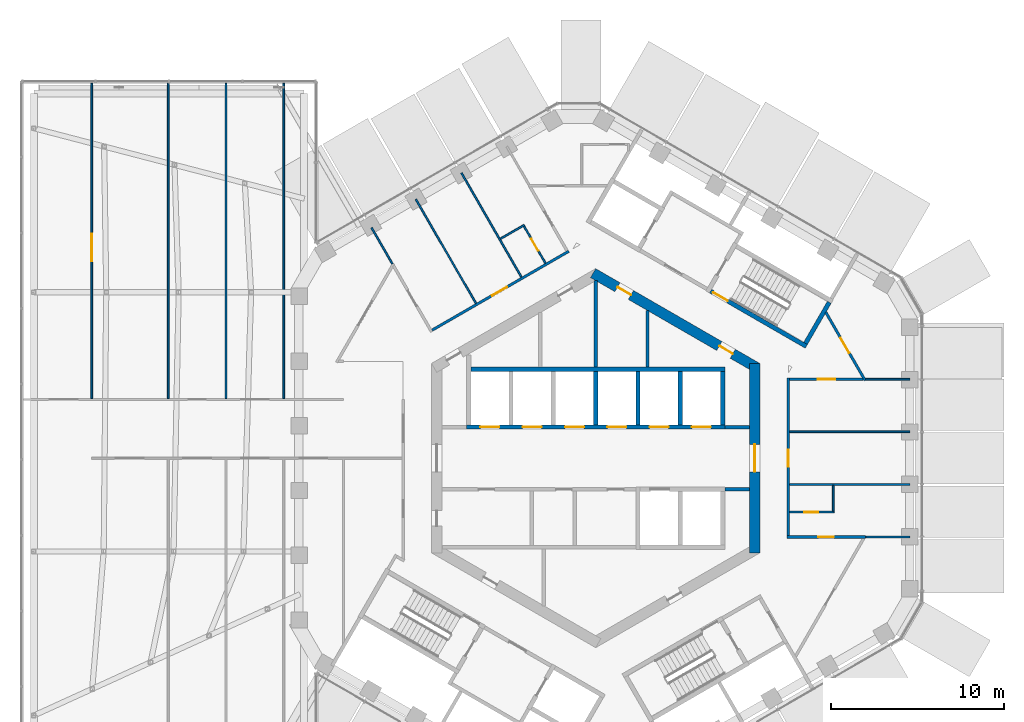
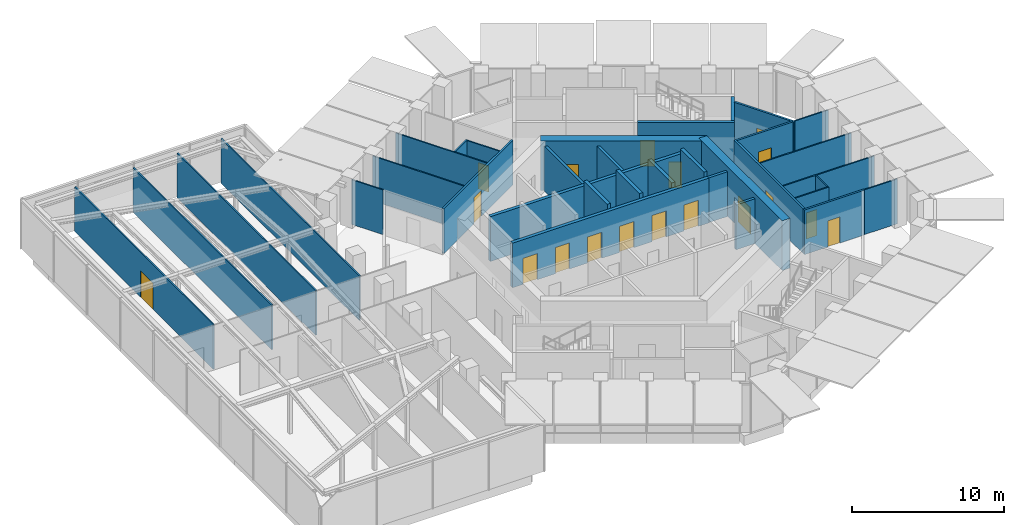
# One storey, part 18 of 24: 34 walls, 18 doors, 18 openings.
"""IFC4 building model written with IfcOpenShell, lengths in metres."""

from ifc_helpers import new_model, si_unit, direction, frame, frame_2d, origin, place, context, subcontext, project, spatial, rectangle, extrude, material, layer, layer_set, type_object, element, fill, save


model = new_model("IFC4")

# Units and contexts
model_context = context("Model", 3, precision=1e-05, world=origin(), true_north=direction((0.0, 1.0)))
body_context = subcontext(model_context, "Body", "Model", "MODEL_VIEW")
ifc_project = project(units=[si_unit("LENGTHUNIT", "METRE"), si_unit("AREAUNIT", "SQUARE_METRE"), si_unit("VOLUMEUNIT", "CUBIC_METRE"), si_unit("PLANEANGLEUNIT", "RADIAN"), si_unit("MASSUNIT", "GRAM", prefix="KILO")], contexts=[model_context])

# Site, building, storey
site_placement = place(None, origin())
site = spatial("IfcSite", under=ifc_project, at=site_placement, CompositionType="ELEMENT")
building_placement = place(site_placement, origin())
building = spatial("IfcBuilding", under=site, at=building_placement, Name="Ayvan Gate Tower", CompositionType="ELEMENT")
storey_placement = place(building_placement, frame((0.0, 0.0, 210.10009765625)))
storey = spatial("IfcBuildingStorey", under=building, at=storey_placement, Name="L56", CompositionType="ELEMENT", Elevation=210.10009765625)

# Wall, opening, door
ifc_material_1 = material(Name="Concrete C60/75", Category="concrete")
ifc_layer_1 = layer(ifc_material_1, 0.60009765625)
ifc_layer_set_1 = layer_set([ifc_layer_1], Name="Concrete C60/75")
wall_type_1 = type_object("IfcWallType", Name="Core wall 600 C60/75", PredefinedType="SHEAR", material=ifc_layer_set_1)
wall_1_placement = place(storey_placement, frame((9.199951171875, -5.48486328125, 0.0), z_axis=(0.0, 0.0, 1.0), x_axis=(0.0, 1.0, 0.0)))
wall_1 = element("IfcWall", 1, at=wall_1_placement, inside=storey, type_object=wall_type_1, Name="CORE-L56-0", PredefinedType="SHEAR", context=body_context, shape_type="SweptSolid", body=[
    extrude(rectangle(XDim=10.9697265625, YDim=0.60009765625, at=frame_2d((5.48486328125, 0.0))), origin(), (0.0, 0.0, 1.0), 4.0),
])
opening_1_placement = place(wall_1_placement, frame((4.684814453125, 0.0, 0.0)))
opening_1 = element("IfcOpeningElement", 2, at=opening_1_placement, cuts=wall_1, Name="Opening L56-D54", PredefinedType="OPENING", context=body_context, shape_type="SweptSolid", body=[
    extrude(rectangle(XDim=1.60009765625, YDim=2.10009765625, at=frame_2d((0.800048828125, 1.050048828125))), frame((0.0, 0.31005859375, 0.0), z_axis=(0.0, -1.0, 0.0), x_axis=(1.0, 0.0, 0.0)), (0.0, 0.0, 1.0), 0.6201171875),
])
ifc_material_2 = material(Name="Timber door leaf", Category="wood")
door_type_1 = type_object("IfcDoorType", Name="DT-1600", OperationType="NOTDEFINED", PredefinedType="DOOR", material=ifc_material_2)
door_1_placement = place(opening_1_placement, origin())
door_1 = element("IfcDoor", 3, at=door_1_placement, inside=storey, type_object=door_type_1, Name="CD-L56-54", OperationType="SINGLE_SWING_RIGHT", OverallHeight=2.10009765625, OverallWidth=1.60009765625, PredefinedType="DOOR", context=body_context, shape_type="SweptSolid", body=[
    extrude(rectangle(XDim=1.60009765625, YDim=2.10009765625, at=frame_2d((0.800048828125, 1.050048828125))), frame((0.0, 0.02490234375, 0.0), z_axis=(0.0, -1.0, 0.0), x_axis=(1.0, 0.0, 0.0)), (0.0, 0.0, 1.0), 0.050048828125),
])
fill(opening_1, door_1)

# Wall, openings, doors
wall_2_placement = place(storey_placement, frame((9.35009765625, 5.22509765625, 0.0), z_axis=(0.0, 0.0, 1.0), x_axis=(-0.866023993627, 0.500002442456, 0.0)))
wall_2 = element("IfcWall", 4, at=wall_2_placement, inside=storey, type_object=wall_type_1, Name="CORE-L56-1", PredefinedType="SHEAR", context=body_context, shape_type="SweptSolid", body=[
    extrude(rectangle(XDim=10.9697265625, YDim=0.60009765625, at=frame_2d((5.48486328125, 0.0))), origin(), (0.0, 0.0, 1.0), 4.0),
])
opening_2_placement = place(wall_2_placement, frame((8.44189453125, 0.0, 0.0)))
opening_2 = element("IfcOpeningElement", 5, at=opening_2_placement, cuts=wall_2, Name="Opening L56-D49", PredefinedType="OPENING", context=body_context, shape_type="SweptSolid", body=[
    extrude(rectangle(XDim=0.89990234375, YDim=2.10009765625, at=frame_2d((0.449951171875, 1.050048828125))), frame((0.0, 0.31005859375, 0.0), z_axis=(0.0, -1.0, 0.0), x_axis=(1.0, 0.0, 0.0)), (0.0, 0.0, 1.0), 0.6201171875),
])
opening_3_placement = place(wall_2_placement, frame((1.633544921875, 0.0, 0.0)))
opening_3 = element("IfcOpeningElement", 6, at=opening_3_placement, cuts=wall_2, Name="Opening L56-D50", PredefinedType="OPENING", context=body_context, shape_type="SweptSolid", body=[
    extrude(rectangle(XDim=0.89990234375, YDim=2.10009765625, at=frame_2d((0.449951171875, 1.050048828125))), frame((0.0, 0.31005859375, 0.0), z_axis=(0.0, -1.0, 0.0), x_axis=(1.0, 0.0, 0.0)), (0.0, 0.0, 1.0), 0.6201171875),
])
door_type_2 = type_object("IfcDoorType", Name="DT-900", OperationType="NOTDEFINED", PredefinedType="DOOR", material=ifc_material_2)
door_2_placement = place(opening_2_placement, origin())
door_2 = element("IfcDoor", 7, at=door_2_placement, inside=storey, type_object=door_type_2, Name="CD-L56-49", OperationType="SINGLE_SWING_LEFT", OverallHeight=2.10009765625, OverallWidth=0.89990234375, PredefinedType="DOOR", context=body_context, shape_type="SweptSolid", body=[
    extrude(rectangle(XDim=0.89990234375, YDim=2.10009765625, at=frame_2d((0.449951171875, 1.050048828125))), frame((0.0, 0.02490234375, 0.0), z_axis=(0.0, -1.0, 0.0), x_axis=(1.0, 0.0, 0.0)), (0.0, 0.0, 1.0), 0.050048828125),
])
fill(opening_2, door_2)
door_3_placement = place(opening_3_placement, origin())
door_3 = element("IfcDoor", 8, at=door_3_placement, inside=storey, type_object=door_type_2, Name="CD-L56-50", OperationType="SINGLE_SWING_RIGHT", OverallHeight=2.10009765625, OverallWidth=0.89990234375, PredefinedType="DOOR", context=body_context, shape_type="SweptSolid", body=[
    extrude(rectangle(XDim=0.89990234375, YDim=2.10009765625, at=frame_2d((0.449951171875, 1.050048828125))), frame((0.0, 0.02490234375, 0.0), z_axis=(0.0, -1.0, 0.0), x_axis=(1.0, 0.0, 0.0)), (0.0, 0.0, 1.0), 0.050048828125),
])
fill(opening_3, door_3)

# Wall, opening, door
ifc_material_3 = material(Name="Plasterboard on steel stud", Category="steel")
ifc_layer_2 = layer(ifc_material_3, 0.14990234375)
ifc_layer_set_2 = layer_set([ifc_layer_2], Name="Plasterboard on steel stud")
wall_type_2 = type_object("IfcWallType", Name="WT-CORR-150", PredefinedType="PARTITIONING", material=ifc_layer_set_2)
wall_3_placement = place(storey_placement, frame((-9.46484375, 7.410400390625, 0.0), z_axis=(0.0, 0.0, 1.0), x_axis=(0.866025334581, 0.500000119864, 0.0)))
wall_3 = element("IfcWall", 9, at=wall_3_placement, inside=storey, type_object=wall_type_2, Name="IW-L56-020", PredefinedType="PARTITIONING", context=body_context, shape_type="SweptSolid", body=[
    extrude(rectangle(XDim=9.13330078125, YDim=0.14990234375, at=frame_2d((4.566650390625, 0.0))), origin(), (0.0, 0.0, 1.0), 3.599853515625),
])
opening_4_placement = place(wall_3_placement, frame((3.99169921875, 0.0, 0.0)))
opening_4 = element("IfcOpeningElement", 10, at=opening_4_placement, cuts=wall_3, Name="Opening L56-D34", PredefinedType="OPENING", context=body_context, shape_type="SweptSolid", body=[
    extrude(rectangle(XDim=1.0, YDim=2.10009765625, at=frame_2d((0.5, 1.050048828125))), frame((0.0, 0.0849609375, 0.0), z_axis=(0.0, -1.0, 0.0), x_axis=(1.0, 0.0, 0.0)), (0.0, 0.0, 1.0), 0.169921875),
])
door_type_3 = type_object("IfcDoorType", Name="DT-1000", OperationType="NOTDEFINED", PredefinedType="DOOR", material=ifc_material_2)
door_4_placement = place(opening_4_placement, origin())
door_4 = element("IfcDoor", 11, at=door_4_placement, inside=storey, type_object=door_type_3, Name="ID-L56-034", OperationType="SINGLE_SWING_RIGHT", OverallHeight=2.10009765625, OverallWidth=1.0, PredefinedType="DOOR", context=body_context, shape_type="SweptSolid", body=[
    extrude(rectangle(XDim=1.0, YDim=2.10009765625, at=frame_2d((0.5, 1.050048828125))), frame((0.0, 0.02490234375, 0.0), z_axis=(0.0, -1.0, 0.0), x_axis=(1.0, 0.0, 0.0)), (0.0, 0.0, 1.0), 0.050048828125),
])
fill(opening_4, door_4)

wall_4_placement = place(storey_placement, frame((11.074951171875, -4.566650390625, 0.0), z_axis=(0.0, 0.0, 1.0), x_axis=(1.0, 0.0, 0.0)))
wall_4 = element("IfcWall", 12, at=wall_4_placement, inside=storey, type_object=wall_type_2, Name="IW-L56-095", PredefinedType="PARTITIONING", context=body_context, shape_type="SweptSolid", body=[
    extrude(rectangle(XDim=4.55859375, YDim=0.14990234375, at=frame_2d((2.279296875, 0.0))), origin(), (0.0, 0.0, 1.0), 3.599853515625),
])
opening_5_placement = place(wall_4_placement, frame((1.81201171875, 0.0, 0.0)))
opening_5 = element("IfcOpeningElement", 13, at=opening_5_placement, cuts=wall_4, Name="Opening L56-D22", PredefinedType="OPENING", context=body_context, shape_type="SweptSolid", body=[
    extrude(rectangle(XDim=0.89990234375, YDim=2.10009765625, at=frame_2d((0.449951171875, 1.050048828125))), frame((0.0, 0.0849609375, 0.0), z_axis=(0.0, -1.0, 0.0), x_axis=(1.0, 0.0, 0.0)), (0.0, 0.0, 1.0), 0.169921875),
])
door_5_placement = place(opening_5_placement, origin())
door_5 = element("IfcDoor", 14, at=door_5_placement, inside=storey, type_object=door_type_2, Name="ID-L56-022", OperationType="SINGLE_SWING_RIGHT", OverallHeight=2.10009765625, OverallWidth=0.89990234375, PredefinedType="DOOR", context=body_context, shape_type="SweptSolid", body=[
    extrude(rectangle(XDim=0.89990234375, YDim=2.10009765625, at=frame_2d((0.449951171875, 1.050048828125))), frame((0.0, 0.02490234375, 0.0), z_axis=(0.0, -1.0, 0.0), x_axis=(1.0, 0.0, 0.0)), (0.0, 0.0, 1.0), 0.050048828125),
])
fill(opening_5, door_5)

wall_5_placement = place(storey_placement, frame((11.14990234375, -4.49169921875, 0.0), z_axis=(0.0, 0.0, 1.0), x_axis=(0.0, 1.0, 0.0)))
wall_5 = element("IfcWall", 15, at=wall_5_placement, inside=storey, type_object=wall_type_2, Name="IW-L56-097", PredefinedType="PARTITIONING", context=body_context, shape_type="SweptSolid", body=[
    extrude(rectangle(XDim=9.13330078125, YDim=0.14990234375, at=frame_2d((4.566650390625, 0.0))), origin(), (0.0, 0.0, 1.0), 3.599853515625),
])
opening_6_placement = place(wall_5_placement, frame((3.99169921875, 0.0, 0.0)))
opening_6 = element("IfcOpeningElement", 16, at=opening_6_placement, cuts=wall_5, Name="Opening L56-D24", PredefinedType="OPENING", context=body_context, shape_type="SweptSolid", body=[
    extrude(rectangle(XDim=1.0, YDim=2.10009765625, at=frame_2d((0.5, 1.050048828125))), frame((0.0, 0.0849609375, 0.0), z_axis=(0.0, -1.0, 0.0), x_axis=(1.0, 0.0, 0.0)), (0.0, 0.0, 1.0), 0.169921875),
])
door_6_placement = place(opening_6_placement, origin())
door_6 = element("IfcDoor", 17, at=door_6_placement, inside=storey, type_object=door_type_3, Name="ID-L56-024", OperationType="SINGLE_SWING_RIGHT", OverallHeight=2.10009765625, OverallWidth=1.0, PredefinedType="DOOR", context=body_context, shape_type="SweptSolid", body=[
    extrude(rectangle(XDim=1.0, YDim=2.10009765625, at=frame_2d((0.5, 1.050048828125))), frame((0.0, 0.02490234375, 0.0), z_axis=(0.0, -1.0, 0.0), x_axis=(1.0, 0.0, 0.0)), (0.0, 0.0, 1.0), 0.050048828125),
])
fill(opening_6, door_6)

wall_6_placement = place(storey_placement, frame((13.31689453125, 8.44921875, 0.0), z_axis=(0.0, 0.0, 1.0), x_axis=(0.500033079325, -0.866006304585, 0.0)))
wall_6 = element("IfcWall", 18, at=wall_6_placement, inside=storey, type_object=wall_type_2, Name="IW-L56-101", PredefinedType="PARTITIONING", context=body_context, shape_type="SweptSolid", body=[
    extrude(rectangle(XDim=4.558349609375, YDim=0.14990234375, at=frame_2d((2.279296875, 0.0))), origin(), (0.0, 0.0, 1.0), 3.599853515625),
])
opening_7_placement = place(wall_6_placement, frame((1.724365234375, 0.0, 0.0)))
opening_7 = element("IfcOpeningElement", 19, at=opening_7_placement, cuts=wall_6, Name="Opening L56-D26", PredefinedType="OPENING", context=body_context, shape_type="SweptSolid", body=[
    extrude(rectangle(XDim=1.0, YDim=2.10009765625, at=frame_2d((0.5, 1.050048828125))), frame((0.0, 0.0849609375, 0.0), z_axis=(0.0, -1.0, 0.0), x_axis=(1.0, 0.0, 0.0)), (0.0, 0.0, 1.0), 0.169921875),
])
door_7_placement = place(opening_7_placement, origin())
door_7 = element("IfcDoor", 20, at=door_7_placement, inside=storey, type_object=door_type_3, Name="ID-L56-026", OperationType="SINGLE_SWING_RIGHT", OverallHeight=2.10009765625, OverallWidth=1.0, PredefinedType="DOOR", context=body_context, shape_type="SweptSolid", body=[
    extrude(rectangle(XDim=1.0, YDim=2.10009765625, at=frame_2d((0.5, 1.050048828125))), frame((0.0, 0.02490234375, 0.0), z_axis=(0.0, -1.0, 0.0), x_axis=(1.0, 0.0, 0.0)), (0.0, 0.0, 1.0), 0.050048828125),
])
fill(opening_7, door_7)

wall_7_placement = place(storey_placement, frame((15.483642578125, 4.566650390625, 0.0), z_axis=(0.0, 0.0, 1.0), x_axis=(-1.0, 0.0, 0.0)))
wall_7 = element("IfcWall", 21, at=wall_7_placement, inside=storey, type_object=wall_type_2, Name="IW-L56-105", PredefinedType="PARTITIONING", context=body_context, shape_type="SweptSolid", body=[
    extrude(rectangle(XDim=4.258544921875, YDim=0.14990234375, at=frame_2d((2.12939453125, 0.0))), origin(), (0.0, 0.0, 1.0), 3.599853515625),
])
opening_8_placement = place(wall_7_placement, frame((1.62939453125, 0.0, 0.0)))
opening_8 = element("IfcOpeningElement", 22, at=opening_8_placement, cuts=wall_7, Name="Opening L56-D25", PredefinedType="OPENING", context=body_context, shape_type="SweptSolid", body=[
    extrude(rectangle(XDim=1.0, YDim=2.10009765625, at=frame_2d((0.5, 1.050048828125))), frame((0.0, 0.0849609375, 0.0), z_axis=(0.0, -1.0, 0.0), x_axis=(1.0, 0.0, 0.0)), (0.0, 0.0, 1.0), 0.169921875),
])
door_8_placement = place(opening_8_placement, origin())
door_8 = element("IfcDoor", 23, at=door_8_placement, inside=storey, type_object=door_type_3, Name="ID-L56-025", OperationType="SINGLE_SWING_LEFT", OverallHeight=2.10009765625, OverallWidth=1.0, PredefinedType="DOOR", context=body_context, shape_type="SweptSolid", body=[
    extrude(rectangle(XDim=1.0, YDim=2.10009765625, at=frame_2d((0.5, 1.050048828125))), frame((0.0, 0.02490234375, 0.0), z_axis=(0.0, -1.0, 0.0), x_axis=(1.0, 0.0, 0.0)), (0.0, 0.0, 1.0), 0.050048828125),
])
fill(opening_8, door_8)

ifc_layer_3 = layer(ifc_material_3, 0.10009765625)
ifc_layer_set_3 = layer_set([ifc_layer_3], Name="Plasterboard on steel stud")
wall_type_3 = type_object("IfcWallType", Name="WT-PART-100", PredefinedType="PARTITIONING", material=ifc_layer_set_3)
wall_8_placement = place(storey_placement, frame((-29.17431640625, 21.696044921875, 0.0), z_axis=(0.0, 0.0, 1.0), x_axis=(0.0, -1.0, 0.0)))
wall_8 = element("IfcWall", 24, at=wall_8_placement, inside=storey, type_object=wall_type_3, Name="IW-L56-001", PredefinedType="PARTITIONING", context=body_context, shape_type="SweptSolid", body=[
    extrude(rectangle(XDim=18.249755859375, YDim=0.10009765625, at=frame_2d((9.125, 0.0))), origin(), (0.0, 0.0, 1.0), 3.599853515625),
])
opening_9_placement = place(wall_8_placement, frame((8.69775390625, 0.0, 0.0)))
opening_9 = element("IfcOpeningElement", 25, at=opening_9_placement, cuts=wall_8, Name="Opening L56-D45", PredefinedType="OPENING", context=body_context, shape_type="SweptSolid", body=[
    extrude(rectangle(XDim=1.60009765625, YDim=2.10009765625, at=frame_2d((0.800048828125, 1.050048828125))), frame((0.0, 0.06005859375, 0.0), z_axis=(0.0, -1.0, 0.0), x_axis=(1.0, 0.0, 0.0)), (0.0, 0.0, 1.0), 0.1201171875),
])
door_9_placement = place(opening_9_placement, origin())
door_9 = element("IfcDoor", 26, at=door_9_placement, inside=storey, type_object=door_type_1, Name="ID-L56-045", OperationType="SINGLE_SWING_LEFT", OverallHeight=2.10009765625, OverallWidth=1.60009765625, PredefinedType="DOOR", context=body_context, shape_type="SweptSolid", body=[
    extrude(rectangle(XDim=1.60009765625, YDim=2.10009765625, at=frame_2d((0.800048828125, 1.050048828125))), frame((0.0, 0.02490234375, 0.0), z_axis=(0.0, -1.0, 0.0), x_axis=(1.0, 0.0, 0.0)), (0.0, 0.0, 1.0), 0.050048828125),
])
fill(opening_9, door_9)

# Walls
for number, where, z_axis, x_axis, name in (
    (27, (-24.738037109375, 3.4462890625, 0.0), (0.0, 0.0, 1.0), (0.0, 1.0, 0.0), "IW-L56-003"),
    (28, (-21.394287109375, 3.4462890625, 0.0), (0.0, 0.0, 1.0), (0.0, 1.0, 0.0), "IW-L56-006"),
    (29, (-18.05078125, 3.4462890625, 0.0), (0.0, 0.0, 1.0), (0.0, 1.0, 0.0), "IW-L56-008"),
):
    element("IfcWall", number, at=place(storey_placement, frame(where, z_axis=z_axis, x_axis=x_axis)), inside=storey, type_object=wall_type_3, Name=name, PredefinedType="PARTITIONING", context=body_context, shape_type="SweptSolid", body=[
        extrude(rectangle(XDim=18.249755859375, YDim=0.10009765625, at=frame_2d((9.125, 0.0))), origin(), (0.0, 0.0, 1.0), 3.599853515625),
    ])
wall_9_placement = place(storey_placement, frame((-11.771484375, 11.255615234375, 0.0), z_axis=(0.0, 0.0, 1.0), x_axis=(-0.50000677744, 0.866021490792, 0.0)))
element("IfcWall", 30, at=wall_9_placement, inside=storey, type_object=wall_type_3, Name="IW-L56-017", PredefinedType="PARTITIONING", context=body_context, shape_type="SweptSolid", body=[
    extrude(rectangle(XDim=2.4033203125, YDim=0.10009765625, at=frame_2d((1.20166015625, 0.0))), origin(), (0.0, 0.0, 1.0), 3.599853515625),
])
wall_10_placement = place(storey_placement, frame((-6.930908203125, 8.9599609375, 0.0), z_axis=(0.0, 0.0, 1.0), x_axis=(-0.499982511794, 0.866035500369, 0.0)))
element("IfcWall", 31, at=wall_10_placement, inside=storey, type_object=wall_type_3, Name="IW-L56-030", PredefinedType="PARTITIONING", context=body_context, shape_type="SweptSolid", body=[
    extrude(rectangle(XDim=6.961669921875, YDim=0.10009765625, at=frame_2d((3.48095703125, 0.0))), origin(), (0.0, 0.0, 1.0), 3.599853515625),
])
wall_11_placement = place(storey_placement, frame((-7.77490234375, 16.510986328125, 0.0), z_axis=(0.0, 0.0, 1.0), x_axis=(0.499997697262, -0.866026733267, 0.0)))
element("IfcWall", 32, at=wall_11_placement, inside=storey, type_object=wall_type_3, Name="IW-L56-033", PredefinedType="PARTITIONING", context=body_context, shape_type="SweptSolid", body=[
    extrude(rectangle(XDim=6.96142578125, YDim=0.10009765625, at=frame_2d((3.480712890625, 0.0))), origin(), (0.0, 0.0, 1.0), 3.599853515625),
])
wall_12_placement = place(storey_placement, frame((-4.127685546875, 13.493896484375, 0.0), z_axis=(0.0, 0.0, 1.0), x_axis=(-0.866094119867, -0.499880961361, 0.0)))
element("IfcWall", 33, at=wall_12_placement, inside=storey, type_object=wall_type_3, Name="IW-L56-035", PredefinedType="PARTITIONING", context=body_context, shape_type="SweptSolid", body=[
    extrude(rectangle(XDim=1.60009765625, YDim=0.10009765625, at=frame_2d((0.800048828125, 0.0))), origin(), (0.0, 0.0, 1.0), 3.599853515625),
])

# Wall, opening, door
wall_13_placement = place(storey_placement, frame((-2.90869140625, 11.2822265625, 0.0), z_axis=(0.0, 0.0, 1.0), x_axis=(-0.499916002032, 0.866073894602, 0.0)))
wall_13 = element("IfcWall", 34, at=wall_13_placement, inside=storey, type_object=wall_type_3, Name="IW-L56-043", PredefinedType="PARTITIONING", context=body_context, shape_type="SweptSolid", body=[
    extrude(rectangle(XDim=2.47509765625, YDim=0.10009765625, at=frame_2d((1.237548828125, 0.0))), origin(), (0.0, 0.0, 1.0), 3.599853515625),
])
opening_10_placement = place(wall_13_placement, frame((0.83740234375, 0.0, 0.0)))
opening_10 = element("IfcOpeningElement", 35, at=opening_10_placement, cuts=wall_13, Name="Opening L56-D33", PredefinedType="OPENING", context=body_context, shape_type="SweptSolid", body=[
    extrude(rectangle(XDim=0.800048828125, YDim=2.10009765625, at=frame_2d((0.39990234375, 1.050048828125))), frame((0.0, 0.06005859375, 0.0), z_axis=(0.0, -1.0, 0.0), x_axis=(1.0, 0.0, 0.0)), (0.0, 0.0, 1.0), 0.1201171875),
])
door_type_4 = type_object("IfcDoorType", Name="DT-800", OperationType="NOTDEFINED", PredefinedType="DOOR", material=ifc_material_2)
door_10_placement = place(opening_10_placement, origin())
door_10 = element("IfcDoor", 36, at=door_10_placement, inside=storey, type_object=door_type_4, Name="ID-L56-033", OperationType="SINGLE_SWING_LEFT", OverallHeight=2.10009765625, OverallWidth=0.800048828125, PredefinedType="DOOR", context=body_context, shape_type="SweptSolid", body=[
    extrude(rectangle(XDim=0.800048828125, YDim=2.10009765625, at=frame_2d((0.39990234375, 1.050048828125))), frame((0.0, 0.02490234375, 0.0), z_axis=(0.0, -1.0, 0.0), x_axis=(1.0, 0.0, 0.0)), (0.0, 0.0, 1.0), 0.050048828125),
])
fill(opening_10, door_10)

wall_14_placement = place(storey_placement, frame((11.22509765625, -3.122314453125, 0.0), z_axis=(0.0, 0.0, 1.0), x_axis=(1.0, 0.0, 0.0)))
wall_14 = element("IfcWall", 37, at=wall_14_placement, inside=storey, type_object=wall_type_3, Name="IW-L56-096", PredefinedType="PARTITIONING", context=body_context, shape_type="SweptSolid", body=[
    extrude(rectangle(XDim=2.574951171875, YDim=0.10009765625, at=frame_2d((1.28759765625, 0.0))), origin(), (0.0, 0.0, 1.0), 3.599853515625),
])
opening_11_placement = place(wall_14_placement, frame((0.862548828125, 0.0, 0.0)))
opening_11 = element("IfcOpeningElement", 38, at=opening_11_placement, cuts=wall_14, Name="Opening L56-D23", PredefinedType="OPENING", context=body_context, shape_type="SweptSolid", body=[
    extrude(rectangle(XDim=0.800048828125, YDim=2.10009765625, at=frame_2d((0.39990234375, 1.050048828125))), frame((0.0, 0.06005859375, 0.0), z_axis=(0.0, -1.0, 0.0), x_axis=(1.0, 0.0, 0.0)), (0.0, 0.0, 1.0), 0.1201171875),
])
door_11_placement = place(opening_11_placement, origin())
door_11 = element("IfcDoor", 39, at=door_11_placement, inside=storey, type_object=door_type_4, Name="ID-L56-023", OperationType="SINGLE_SWING_LEFT", OverallHeight=2.10009765625, OverallWidth=0.800048828125, PredefinedType="DOOR", context=body_context, shape_type="SweptSolid", body=[
    extrude(rectangle(XDim=0.800048828125, YDim=2.10009765625, at=frame_2d((0.39990234375, 1.050048828125))), frame((0.0, 0.02490234375, 0.0), z_axis=(0.0, -1.0, 0.0), x_axis=(1.0, 0.0, 0.0)), (0.0, 0.0, 1.0), 0.050048828125),
])
fill(opening_11, door_11)

# Walls
for number, where, z_axis, x_axis, name in (
    (40, (11.22509765625, -1.522216796875, 0.0), (0.0, 0.0, 1.0), (1.0, 0.0, 0.0), "IW-L56-098"),
    (41, (11.22509765625, 1.522216796875, 0.0), (0.0, 0.0, 1.0), (1.0, 0.0, 0.0), "IW-L56-099"),
):
    element("IfcWall", number, at=place(storey_placement, frame(where, z_axis=z_axis, x_axis=x_axis)), inside=storey, type_object=wall_type_3, Name=name, PredefinedType="PARTITIONING", context=body_context, shape_type="SweptSolid", body=[
        extrude(rectangle(XDim=6.96142578125, YDim=0.10009765625, at=frame_2d((3.480712890625, 0.0))), origin(), (0.0, 0.0, 1.0), 3.599853515625),
    ])
wall_15_placement = place(storey_placement, frame((13.75, -3.072265625, 0.0), z_axis=(0.0, 0.0, 1.0), x_axis=(0.0, 1.0, 0.0)))
element("IfcWall", 42, at=wall_15_placement, inside=storey, type_object=wall_type_3, Name="IW-L56-103", PredefinedType="PARTITIONING", context=body_context, shape_type="SweptSolid", body=[
    extrude(rectangle(XDim=1.5, YDim=0.10009765625, at=frame_2d((0.75, 0.0))), origin(), (0.0, 0.0, 1.0), 3.599853515625),
])
for number, where, z_axis, x_axis, name in (
    (43, (15.633544921875, 4.566650390625, 0.0), (0.0, 0.0, 1.0), (1.0, 0.0, 0.0), "IW-L56-106"),
    (44, (18.1865234375, -4.566650390625, 0.0), (0.0, 0.0, 1.0), (-1.0, 0.0, 0.0), "IW-L56-108"),
):
    element("IfcWall", number, at=place(storey_placement, frame(where, z_axis=z_axis, x_axis=x_axis)), inside=storey, type_object=wall_type_3, Name=name, PredefinedType="PARTITIONING", context=body_context, shape_type="SweptSolid", body=[
        extrude(rectangle(XDim=2.552978515625, YDim=0.10009765625, at=frame_2d((1.2763671875, 0.0))), origin(), (0.0, 0.0, 1.0), 3.599853515625),
    ])
ifc_layer_4 = layer(ifc_material_3, 0.199951171875)
ifc_layer_set_4 = layer_set([ifc_layer_4], Name="Plasterboard on steel stud")
wall_type_4 = type_object("IfcWallType", Name="WT-RATED-200", PredefinedType="PARTITIONING", material=ifc_layer_set_4)
wall_16_placement = place(storey_placement, frame((0.0, 10.27685546875, 0.0), z_axis=(0.0, 0.0, 1.0), x_axis=(0.0, -1.0, 0.0)))
element("IfcWall", 45, at=wall_16_placement, inside=storey, type_object=wall_type_4, Name="IW-L56-057", PredefinedType="PARTITIONING", context=body_context, shape_type="SweptSolid", body=[
    extrude(rectangle(XDim=5.001953125, YDim=0.199951171875, at=frame_2d((2.5009765625, 0.0))), origin(), (0.0, 0.0, 1.0), 3.599853515625),
])
wall_17_placement = place(storey_placement, frame((3.0, 8.544921875, 0.0), z_axis=(0.0, 0.0, 1.0), x_axis=(0.0, -1.0, 0.0)))
element("IfcWall", 46, at=wall_17_placement, inside=storey, type_object=wall_type_4, Name="IW-L56-070", PredefinedType="PARTITIONING", context=body_context, shape_type="SweptSolid", body=[
    extrude(rectangle(XDim=3.27001953125, YDim=0.199951171875, at=frame_2d((1.635009765625, 0.0))), origin(), (0.0, 0.0, 1.0), 3.599853515625),
])
for number, where, z_axis, x_axis, name in (
    (47, (7.474853515625, 1.800048828125, 0.0), (0.0, 0.0, 1.0), (1.0, 0.0, 0.0), "IW-L56-085"),
    (48, (8.89990234375, -1.800048828125, 0.0), (0.0, 0.0, 1.0), (-1.0, 0.0, 0.0), "IW-L56-091"),
):
    element("IfcWall", number, at=place(storey_placement, frame(where, z_axis=z_axis, x_axis=x_axis)), inside=storey, type_object=wall_type_4, Name=name, PredefinedType="PARTITIONING", context=body_context, shape_type="SweptSolid", body=[
        extrude(rectangle(XDim=1.425048828125, YDim=0.199951171875, at=frame_2d((0.71240234375, 0.0))), origin(), (0.0, 0.0, 1.0), 3.599853515625),
    ])

# Wall, openings, doors
ifc_material_4 = material(Name="Concrete C50/60", Category="concrete")
ifc_layer_5 = layer(ifc_material_4, 0.25)
ifc_layer_set_5 = layer_set([ifc_layer_5], Name="Concrete C50/60")
wall_type_5 = type_object("IfcWallType", Name="WT-RC-250", PredefinedType="SHEAR", material=ifc_layer_set_5)
wall_18_placement = place(storey_placement, frame((-7.47509765625, 1.800048828125, 0.0), z_axis=(0.0, 0.0, 1.0), x_axis=(1.0, 0.0, 0.0)))
wall_18 = element("IfcWall", 49, at=wall_18_placement, inside=storey, type_object=wall_type_5, Name="IW-L56-027", PredefinedType="SHEAR", context=body_context, shape_type="SweptSolid", body=[
    extrude(rectangle(XDim=14.9501953125, YDim=0.25, at=frame_2d((7.47509765625, 0.0))), origin(), (0.0, 0.0, 1.0), 3.599853515625),
])
opening_12_placement = place(wall_18_placement, frame((0.800048828125, 0.0, 0.0)))
opening_12 = element("IfcOpeningElement", 50, at=opening_12_placement, cuts=wall_18, Name="Opening L56-LD-HR1", PredefinedType="OPENING", context=body_context, shape_type="SweptSolid", body=[
    extrude(rectangle(XDim=1.10009765625, YDim=2.10009765625, at=frame_2d((0.550048828125, 1.050048828125))), frame((0.0, 0.135009765625, 0.0), z_axis=(0.0, -1.0, 0.0), x_axis=(1.0, 0.0, 0.0)), (0.0, 0.0, 1.0), 0.27001953125),
])
opening_13_placement = place(wall_18_placement, frame((3.25, 0.0, 0.0)))
opening_13 = element("IfcOpeningElement", 51, at=opening_13_placement, cuts=wall_18, Name="Opening L56-LD-HR2", PredefinedType="OPENING", context=body_context, shape_type="SweptSolid", body=[
    extrude(rectangle(XDim=1.10009765625, YDim=2.10009765625, at=frame_2d((0.550048828125, 1.050048828125))), frame((0.0, 0.135009765625, 0.0), z_axis=(0.0, -1.0, 0.0), x_axis=(1.0, 0.0, 0.0)), (0.0, 0.0, 1.0), 0.27001953125),
])
opening_14_placement = place(wall_18_placement, frame((5.7001953125, 0.0, 0.0)))
opening_14 = element("IfcOpeningElement", 52, at=opening_14_placement, cuts=wall_18, Name="Opening L56-LD-HR3", PredefinedType="OPENING", context=body_context, shape_type="SweptSolid", body=[
    extrude(rectangle(XDim=1.10009765625, YDim=2.10009765625, at=frame_2d((0.550048828125, 1.050048828125))), frame((0.0, 0.135009765625, 0.0), z_axis=(0.0, -1.0, 0.0), x_axis=(1.0, 0.0, 0.0)), (0.0, 0.0, 1.0), 0.27001953125),
])
opening_15_placement = place(wall_18_placement, frame((8.150146484375, 0.0, 0.0)))
opening_15 = element("IfcOpeningElement", 53, at=opening_15_placement, cuts=wall_18, Name="Opening L56-LD-HR4", PredefinedType="OPENING", context=body_context, shape_type="SweptSolid", body=[
    extrude(rectangle(XDim=1.10009765625, YDim=2.10009765625, at=frame_2d((0.550048828125, 1.050048828125))), frame((0.0, 0.135009765625, 0.0), z_axis=(0.0, -1.0, 0.0), x_axis=(1.0, 0.0, 0.0)), (0.0, 0.0, 1.0), 0.27001953125),
])
opening_16_placement = place(wall_18_placement, frame((10.60009765625, 0.0, 0.0)))
opening_16 = element("IfcOpeningElement", 54, at=opening_16_placement, cuts=wall_18, Name="Opening L56-LD-HR5", PredefinedType="OPENING", context=body_context, shape_type="SweptSolid", body=[
    extrude(rectangle(XDim=1.10009765625, YDim=2.10009765625, at=frame_2d((0.550048828125, 1.050048828125))), frame((0.0, 0.135009765625, 0.0), z_axis=(0.0, -1.0, 0.0), x_axis=(1.0, 0.0, 0.0)), (0.0, 0.0, 1.0), 0.27001953125),
])
opening_17_placement = place(wall_18_placement, frame((13.050048828125, 0.0, 0.0)))
opening_17 = element("IfcOpeningElement", 55, at=opening_17_placement, cuts=wall_18, Name="Opening L56-LD-HR6", PredefinedType="OPENING", context=body_context, shape_type="SweptSolid", body=[
    extrude(rectangle(XDim=1.10009765625, YDim=2.10009765625, at=frame_2d((0.550048828125, 1.050048828125))), frame((0.0, 0.135009765625, 0.0), z_axis=(0.0, -1.0, 0.0), x_axis=(1.0, 0.0, 0.0)), (0.0, 0.0, 1.0), 0.27001953125),
])
ifc_material_5 = material(Name="Stainless steel landing door", Category="steel")
door_type_5 = type_object("IfcDoorType", Name="DT-LANDING-1100", OperationType="SLIDING_TO_LEFT", PredefinedType="DOOR", material=ifc_material_5)
door_12_placement = place(opening_12_placement, origin())
door_12 = element("IfcDoor", 56, at=door_12_placement, inside=storey, type_object=door_type_5, Name="ID-L56-001", OperationType="SLIDING_TO_LEFT", OverallHeight=2.10009765625, OverallWidth=1.10009765625, PredefinedType="DOOR", context=body_context, shape_type="SweptSolid", body=[
    extrude(rectangle(XDim=1.10009765625, YDim=2.10009765625, at=frame_2d((0.550048828125, 1.050048828125))), frame((0.0, 0.02490234375, 0.0), z_axis=(0.0, -1.0, 0.0), x_axis=(1.0, 0.0, 0.0)), (0.0, 0.0, 1.0), 0.050048828125),
])
fill(opening_12, door_12)
door_13_placement = place(opening_13_placement, origin())
door_13 = element("IfcDoor", 57, at=door_13_placement, inside=storey, type_object=door_type_5, Name="ID-L56-002", OperationType="SLIDING_TO_LEFT", OverallHeight=2.10009765625, OverallWidth=1.10009765625, PredefinedType="DOOR", context=body_context, shape_type="SweptSolid", body=[
    extrude(rectangle(XDim=1.10009765625, YDim=2.10009765625, at=frame_2d((0.550048828125, 1.050048828125))), frame((0.0, 0.02490234375, 0.0), z_axis=(0.0, -1.0, 0.0), x_axis=(1.0, 0.0, 0.0)), (0.0, 0.0, 1.0), 0.050048828125),
])
fill(opening_13, door_13)
door_14_placement = place(opening_14_placement, origin())
door_14 = element("IfcDoor", 58, at=door_14_placement, inside=storey, type_object=door_type_5, Name="ID-L56-003", OperationType="SLIDING_TO_LEFT", OverallHeight=2.10009765625, OverallWidth=1.10009765625, PredefinedType="DOOR", context=body_context, shape_type="SweptSolid", body=[
    extrude(rectangle(XDim=1.10009765625, YDim=2.10009765625, at=frame_2d((0.550048828125, 1.050048828125))), frame((0.0, 0.02490234375, 0.0), z_axis=(0.0, -1.0, 0.0), x_axis=(1.0, 0.0, 0.0)), (0.0, 0.0, 1.0), 0.050048828125),
])
fill(opening_14, door_14)
door_15_placement = place(opening_15_placement, origin())
door_15 = element("IfcDoor", 59, at=door_15_placement, inside=storey, type_object=door_type_5, Name="ID-L56-004", OperationType="SLIDING_TO_LEFT", OverallHeight=2.10009765625, OverallWidth=1.10009765625, PredefinedType="DOOR", context=body_context, shape_type="SweptSolid", body=[
    extrude(rectangle(XDim=1.10009765625, YDim=2.10009765625, at=frame_2d((0.550048828125, 1.050048828125))), frame((0.0, 0.02490234375, 0.0), z_axis=(0.0, -1.0, 0.0), x_axis=(1.0, 0.0, 0.0)), (0.0, 0.0, 1.0), 0.050048828125),
])
fill(opening_15, door_15)
door_16_placement = place(opening_16_placement, origin())
door_16 = element("IfcDoor", 60, at=door_16_placement, inside=storey, type_object=door_type_5, Name="ID-L56-005", OperationType="SLIDING_TO_LEFT", OverallHeight=2.10009765625, OverallWidth=1.10009765625, PredefinedType="DOOR", context=body_context, shape_type="SweptSolid", body=[
    extrude(rectangle(XDim=1.10009765625, YDim=2.10009765625, at=frame_2d((0.550048828125, 1.050048828125))), frame((0.0, 0.02490234375, 0.0), z_axis=(0.0, -1.0, 0.0), x_axis=(1.0, 0.0, 0.0)), (0.0, 0.0, 1.0), 0.050048828125),
])
fill(opening_16, door_16)
door_17_placement = place(opening_17_placement, origin())
door_17 = element("IfcDoor", 61, at=door_17_placement, inside=storey, type_object=door_type_5, Name="ID-L56-006", OperationType="SLIDING_TO_LEFT", OverallHeight=2.10009765625, OverallWidth=1.10009765625, PredefinedType="DOOR", context=body_context, shape_type="SweptSolid", body=[
    extrude(rectangle(XDim=1.10009765625, YDim=2.10009765625, at=frame_2d((0.550048828125, 1.050048828125))), frame((0.0, 0.02490234375, 0.0), z_axis=(0.0, -1.0, 0.0), x_axis=(1.0, 0.0, 0.0)), (0.0, 0.0, 1.0), 0.050048828125),
])
fill(opening_17, door_17)

# Walls
wall_19_placement = place(storey_placement, frame((-7.22509765625, 5.14990234375, 0.0), z_axis=(0.0, 0.0, 1.0), x_axis=(1.0, 0.0, 0.0)))
element("IfcWall", 62, at=wall_19_placement, inside=storey, type_object=wall_type_5, Name="IW-L56-029", PredefinedType="SHEAR", context=body_context, shape_type="SweptSolid", body=[
    extrude(rectangle(XDim=14.7001953125, YDim=0.25, at=frame_2d((7.35009765625, 0.0))), origin(), (0.0, 0.0, 1.0), 3.599853515625),
])
for number, where, z_axis, x_axis, name in (
    (63, (0.0, 5.02490234375, 0.0), (0.0, 0.0, 1.0), (0.0, -1.0, 0.0), "IW-L56-056"),
    (64, (2.449951171875, 5.02490234375, 0.0), (0.0, 0.0, 1.0), (0.0, -1.0, 0.0), "IW-L56-067"),
    (65, (4.89990234375, 5.02490234375, 0.0), (0.0, 0.0, 1.0), (0.0, -1.0, 0.0), "IW-L56-077"),
    (66, (7.35009765625, 5.02490234375, 0.0), (0.0, 0.0, 1.0), (0.0, -1.0, 0.0), "IW-L56-087"),
):
    element("IfcWall", number, at=place(storey_placement, frame(where, z_axis=z_axis, x_axis=x_axis)), inside=storey, type_object=wall_type_5, Name=name, PredefinedType="SHEAR", context=body_context, shape_type="SweptSolid", body=[
        extrude(rectangle(XDim=3.099853515625, YDim=0.25, at=frame_2d((1.5498046875, 0.0))), origin(), (0.0, 0.0, 1.0), 4.0),
    ])

# Wall, opening, door
wall_20_placement = place(storey_placement, frame((12.193603515625, 6.469970703125, 0.0), z_axis=(0.0, 0.0, 1.0), x_axis=(-0.866025499775, 0.499999833739, 0.0)))
wall_20 = element("IfcWall", 67, at=wall_20_placement, inside=storey, type_object=wall_type_5, Name="IW-L56-100", PredefinedType="SHEAR", context=body_context, shape_type="SweptSolid", body=[
    extrude(rectangle(XDim=6.39990234375, YDim=0.25, at=frame_2d((3.199951171875, 0.0))), origin(), (0.0, 0.0, 1.0), 3.599853515625),
])
opening_18_placement = place(wall_20_placement, frame((5.25, 0.0, 0.0)))
opening_18 = element("IfcOpeningElement", 68, at=opening_18_placement, cuts=wall_20, Name="Opening L56-D11", PredefinedType="OPENING", context=body_context, shape_type="SweptSolid", body=[
    extrude(rectangle(XDim=1.0, YDim=2.10009765625, at=frame_2d((0.5, 1.050048828125))), frame((0.0, 0.135009765625, 0.0), z_axis=(0.0, -1.0, 0.0), x_axis=(1.0, 0.0, 0.0)), (0.0, 0.0, 1.0), 0.27001953125),
])
door_18_placement = place(opening_18_placement, origin())
door_18 = element("IfcDoor", 69, at=door_18_placement, inside=storey, type_object=door_type_3, Name="ID-L56-011", OperationType="SINGLE_SWING_LEFT", OverallHeight=2.10009765625, OverallWidth=1.0, PredefinedType="DOOR", context=body_context, shape_type="SweptSolid", body=[
    extrude(rectangle(XDim=1.0, YDim=2.10009765625, at=frame_2d((0.5, 1.050048828125))), frame((0.0, 0.02490234375, 0.0), z_axis=(0.0, -1.0, 0.0), x_axis=(1.0, 0.0, 0.0)), (0.0, 0.0, 1.0), 0.050048828125),
])
fill(opening_18, door_18)

# Wall
wall_21_placement = place(storey_placement, frame((12.14794921875, 6.640869140625, 0.0), z_axis=(0.0, 0.0, 1.0), x_axis=(0.500034990121, 0.866005201286, 0.0)))
element("IfcWall", 70, at=wall_21_placement, inside=storey, type_object=wall_type_5, Name="IW-L56-102", PredefinedType="SHEAR", context=body_context, shape_type="SweptSolid", body=[
    extrude(rectangle(XDim=2.749755859375, YDim=0.25, at=frame_2d((1.375, 0.0))), origin(), (0.0, 0.0, 1.0), 3.599853515625),
])

save(model, "model.ifc")
